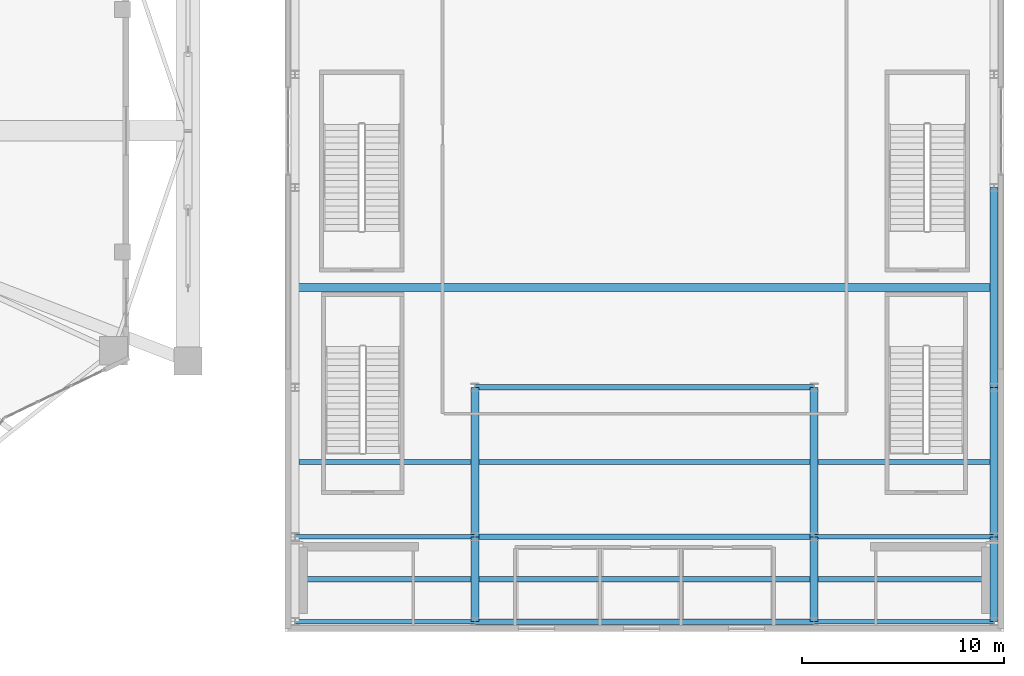
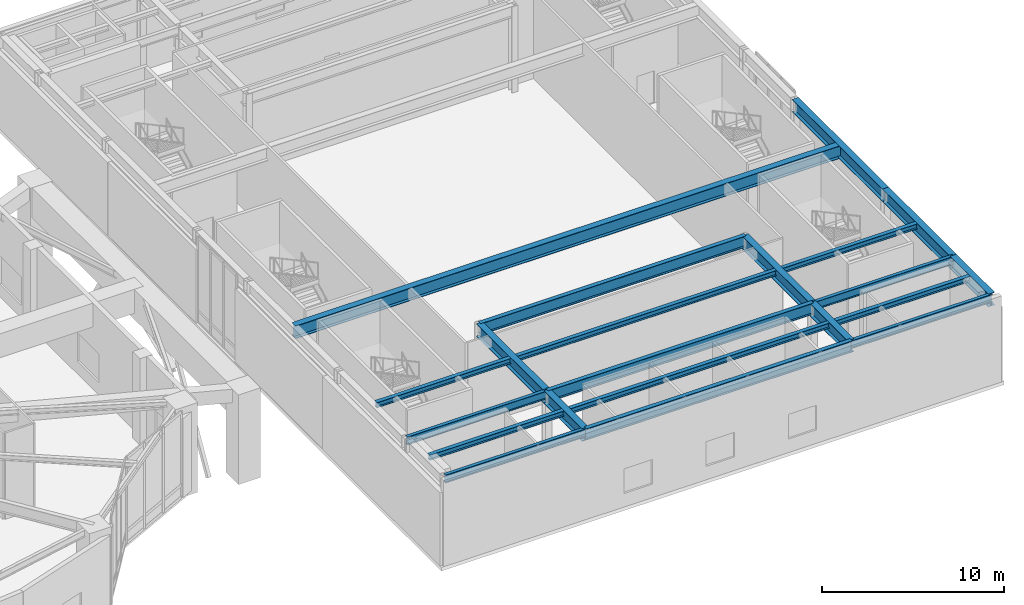
# One storey, part 10 of 25: 21 beams.
"""IFC4 building model written with IfcOpenShell, lengths in metres."""

from ifc_helpers import new_model, si_unit, direction, frame, origin, origin_2d, place, context, subcontext, project, spatial, i_section, extrude, material, material_profile, profile_set, type_object, element, save


model = new_model("IFC4")

# Units and contexts
model_context = context("Model", 3, precision=1e-05, world=origin(), true_north=direction((0.0, 1.0)))
body_context = subcontext(model_context, "Body", "Model", "MODEL_VIEW")
ifc_project = project(units=[si_unit("LENGTHUNIT", "METRE"), si_unit("AREAUNIT", "SQUARE_METRE"), si_unit("VOLUMEUNIT", "CUBIC_METRE"), si_unit("PLANEANGLEUNIT", "RADIAN"), si_unit("MASSUNIT", "GRAM", prefix="KILO")], contexts=[model_context])

# Site, building, storey
site_placement = place(None, origin())
site = spatial("IfcSite", under=ifc_project, at=site_placement, CompositionType="ELEMENT")
building_placement = place(site_placement, origin())
building = spatial("IfcBuilding", under=site, at=building_placement, Name="Kolvaren Gate Tower and Convention Centre", CompositionType="ELEMENT")
storey_placement = place(building_placement, frame((0.0, 0.0, 15.0)))
storey = spatial("IfcBuildingStorey", under=building, at=storey_placement, Name="L03", CompositionType="ELEMENT", Elevation=15.0)

# Beams
ifc_material = material(Name="Structural steel ASTM A992 Grade 345 MPa", Category="steel")
ifc_material_profile_1 = material_profile(ifc_material, i_section(OverallWidth=0.2119140625, OverallDepth=0.5439453125, WebThickness=0.01318359375, FlangeThickness=0.021240234375, at=origin_2d()), Name="W530X123")
ifc_profile_set_1 = profile_set([ifc_material_profile_1], Name="Structural steel ASTM A992 Grade 345 MPa")
beam_type_1 = type_object("IfcBeamType", Name="STR-BM-W530X123", PredefinedType="BEAM", material=ifc_profile_set_1)
for number, where, z_axis, x_axis, name in (
    (1, (62.699951171875, 2.699951171875, 5.488037109375), (1.0, 0.0, 0.0), (0.0, 1.0, 0.0), "Convention L03 Transverse Girder CTG-11"),
    (2, (88.39990234375, 2.699951171875, 5.488037109375), (1.0, 0.0, 0.0), (0.0, 1.0, 0.0), "Convention L03 Transverse Girder CTG-31"),
    (3, (62.699951171875, 6.89990234375, 5.488037109375), (1.0, 0.0, 0.0), (0.0, 1.0, 0.0), "Convention L03 Transverse Girder CTG-12"),
    (4, (88.39990234375, 6.89990234375, 5.488037109375), (1.0, 0.0, 0.0), (0.0, 1.0, 0.0), "Convention L03 Transverse Girder CTG-32"),
):
    element("IfcBeam", number, at=place(storey_placement, frame(where, z_axis=z_axis, x_axis=x_axis)), inside=storey, type_object=beam_type_1, Name=name, PredefinedType="BEAM", context=body_context, shape_type="SweptSolid", body=[
        extrude(i_section(OverallWidth=0.2119140625, OverallDepth=0.5439453125, WebThickness=0.01318359375, FlangeThickness=0.021240234375, at=origin_2d()), origin(), (0.0, 0.0, 1.0), 8.900146484375),
    ])
ifc_material_profile_2 = material_profile(ifc_material, i_section(OverallWidth=0.26806640625, OverallDepth=0.758056640625, WebThickness=0.016357421875, FlangeThickness=0.025390625, at=origin_2d()), Name="W760X220")
ifc_profile_set_2 = profile_set([ifc_material_profile_2], Name="Structural steel ASTM A992 Grade 345 MPa")
beam_type_2 = type_object("IfcBeamType", Name="STR-BM-W760X220", PredefinedType="BEAM", material=ifc_profile_set_2)
for number, where, z_axis, x_axis, name in (
    (5, (71.60009765625, 2.699951171875, 5.381103515625), (1.0, 0.0, 0.0), (0.0, 1.0, 0.0), "Convention L03 Transverse Girder CTG-21"),
    (6, (71.60009765625, 6.89990234375, 5.381103515625), (1.0, 0.0, 0.0), (0.0, 1.0, 0.0), "Convention L03 Transverse Girder CTG-22"),
    (7, (71.60009765625, 14.300048828125, 5.381103515625), (1.0, 0.0, 0.0), (0.0, 1.0, 0.0), "Convention L03 Transverse Girder CTG-23"),
):
    element("IfcBeam", number, at=place(storey_placement, frame(where, z_axis=z_axis, x_axis=x_axis)), inside=storey, type_object=beam_type_2, Name=name, PredefinedType="BEAM", context=body_context, shape_type="SweptSolid", body=[
        extrude(i_section(OverallWidth=0.26806640625, OverallDepth=0.758056640625, WebThickness=0.016357421875, FlangeThickness=0.025390625, at=origin_2d()), origin(), (0.0, 0.0, 1.0), 16.7998046875),
    ])
ifc_material_profile_3 = material_profile(ifc_material, i_section(OverallWidth=0.39990234375, OverallDepth=0.85498046875, WebThickness=0.018310546875, FlangeThickness=0.029296875, at=origin_2d()), Name="W840X299")
ifc_profile_set_3 = profile_set([ifc_material_profile_3], Name="Structural steel ASTM A992 Grade 345 MPa")
beam_type_3 = type_object("IfcBeamType", Name="STR-BM-W840X299", PredefinedType="BEAM", material=ifc_profile_set_3)
beam_1_placement = place(storey_placement, frame((71.60009765625, 2.699951171875, 5.33251953125), z_axis=(0.0, 1.0, 0.0), x_axis=(-1.0, 0.0, 0.0)))
element("IfcBeam", 8, at=beam_1_placement, inside=storey, type_object=beam_type_3, Name="Convention L03 Longitudinal Girder CG-21", PredefinedType="BEAM", context=body_context, shape_type="SweptSolid", body=[
    extrude(i_section(OverallWidth=0.39990234375, OverallDepth=0.85498046875, WebThickness=0.018310546875, FlangeThickness=0.029296875, at=origin_2d()), origin(), (0.0, 0.0, 1.0), 4.199951171875),
])
beam_2_placement = place(storey_placement, frame((71.60009765625, 6.89990234375, 5.33251953125), z_axis=(0.0, 1.0, 0.0), x_axis=(-1.0, 0.0, 0.0)))
element("IfcBeam", 9, at=beam_2_placement, inside=storey, type_object=beam_type_3, Name="Convention L03 Longitudinal Girder CG-22", PredefinedType="BEAM", context=body_context, shape_type="SweptSolid", body=[
    extrude(i_section(OverallWidth=0.39990234375, OverallDepth=0.85498046875, WebThickness=0.018310546875, FlangeThickness=0.029296875, at=origin_2d()), origin(), (0.0, 0.0, 1.0), 7.400146484375),
])
beam_3_placement = place(storey_placement, frame((88.39990234375, 2.699951171875, 5.33251953125), z_axis=(0.0, 1.0, 0.0), x_axis=(-1.0, 0.0, 0.0)))
element("IfcBeam", 10, at=beam_3_placement, inside=storey, type_object=beam_type_3, Name="Convention L03 Longitudinal Girder CG-31", PredefinedType="BEAM", context=body_context, shape_type="SweptSolid", body=[
    extrude(i_section(OverallWidth=0.39990234375, OverallDepth=0.85498046875, WebThickness=0.018310546875, FlangeThickness=0.029296875, at=origin_2d()), origin(), (0.0, 0.0, 1.0), 4.199951171875),
])
beam_4_placement = place(storey_placement, frame((88.39990234375, 6.89990234375, 5.33251953125), z_axis=(0.0, 1.0, 0.0), x_axis=(-1.0, 0.0, 0.0)))
element("IfcBeam", 11, at=beam_4_placement, inside=storey, type_object=beam_type_3, Name="Convention L03 Longitudinal Girder CG-32", PredefinedType="BEAM", context=body_context, shape_type="SweptSolid", body=[
    extrude(i_section(OverallWidth=0.39990234375, OverallDepth=0.85498046875, WebThickness=0.018310546875, FlangeThickness=0.029296875, at=origin_2d()), origin(), (0.0, 0.0, 1.0), 7.400146484375),
])
beam_5_placement = place(storey_placement, frame((97.300048828125, 2.699951171875, 5.33251953125), z_axis=(0.0, 1.0, 0.0), x_axis=(-1.0, 0.0, 0.0)))
element("IfcBeam", 12, at=beam_5_placement, inside=storey, type_object=beam_type_3, Name="Convention L03 Longitudinal Girder CG-41", PredefinedType="BEAM", context=body_context, shape_type="SweptSolid", body=[
    extrude(i_section(OverallWidth=0.39990234375, OverallDepth=0.85498046875, WebThickness=0.018310546875, FlangeThickness=0.029296875, at=origin_2d()), origin(), (0.0, 0.0, 1.0), 4.199951171875),
])
beam_6_placement = place(storey_placement, frame((97.300048828125, 6.89990234375, 5.33251953125), z_axis=(0.0, 1.0, 0.0), x_axis=(-1.0, 0.0, 0.0)))
element("IfcBeam", 13, at=beam_6_placement, inside=storey, type_object=beam_type_3, Name="Convention L03 Longitudinal Girder CG-42", PredefinedType="BEAM", context=body_context, shape_type="SweptSolid", body=[
    extrude(i_section(OverallWidth=0.39990234375, OverallDepth=0.85498046875, WebThickness=0.018310546875, FlangeThickness=0.029296875, at=origin_2d()), origin(), (0.0, 0.0, 1.0), 7.400146484375),
])
beam_7_placement = place(storey_placement, frame((97.300048828125, 14.300048828125, 5.33251953125), z_axis=(0.0, 1.0, 0.0), x_axis=(-1.0, 0.0, 0.0)))
element("IfcBeam", 14, at=beam_7_placement, inside=storey, type_object=beam_type_3, Name="Convention L03 Longitudinal Girder CG-43", PredefinedType="BEAM", context=body_context, shape_type="SweptSolid", body=[
    extrude(i_section(OverallWidth=0.39990234375, OverallDepth=0.85498046875, WebThickness=0.018310546875, FlangeThickness=0.029296875, at=origin_2d()), origin(), (0.0, 0.0, 1.0), 9.89990234375),
])
beam_8_placement = place(storey_placement, frame((62.699951171875, 19.25, 5.33251953125), z_axis=(1.0, 0.0, 0.0), x_axis=(0.0, 1.0, 0.0)))
element("IfcBeam", 15, at=beam_8_placement, inside=storey, type_object=beam_type_3, Name="Convention L03 Clear-Span Secondary Girder CSG-3", PredefinedType="BEAM", context=body_context, shape_type="SweptSolid", body=[
    extrude(i_section(OverallWidth=0.39990234375, OverallDepth=0.85498046875, WebThickness=0.018310546875, FlangeThickness=0.029296875, at=origin_2d()), origin(), (0.0, 0.0, 1.0), 34.60009765625),
])
ifc_material_profile_4 = material_profile(ifc_material, i_section(OverallWidth=0.2548828125, OverallDepth=0.35693359375, WebThickness=0.010498046875, FlangeThickness=0.018310546875, at=origin_2d()), Name="W360X101")
ifc_profile_set_4 = profile_set([ifc_material_profile_4], Name="Structural steel ASTM A992 Grade 345 MPa")
beam_type_4 = type_object("IfcBeamType", Name="STR-JS-W360X101", PredefinedType="JOIST", material=ifc_profile_set_4)
beam_9_placement = place(storey_placement, frame((62.89990234375, 4.800048828125, 5.58154296875), z_axis=(1.0, 0.0, 0.0), x_axis=(0.0, 1.0, 0.0)))
element("IfcBeam", 16, at=beam_9_placement, inside=storey, type_object=beam_type_4, Name="Convention L03 Composite Floor Joist CJ-11", PredefinedType="JOIST", context=body_context, shape_type="SweptSolid", body=[
    extrude(i_section(OverallWidth=0.2548828125, OverallDepth=0.35693359375, WebThickness=0.010498046875, FlangeThickness=0.018310546875, at=origin_2d()), origin(), (0.0, 0.0, 1.0), 8.5),
])
beam_10_placement = place(storey_placement, frame((71.800048828125, 4.800048828125, 5.58154296875), z_axis=(1.0, 0.0, 0.0), x_axis=(0.0, 1.0, 0.0)))
element("IfcBeam", 17, at=beam_10_placement, inside=storey, type_object=beam_type_4, Name="Convention L03 Composite Floor Joist CJ-21", PredefinedType="JOIST", context=body_context, shape_type="SweptSolid", body=[
    extrude(i_section(OverallWidth=0.2548828125, OverallDepth=0.35693359375, WebThickness=0.010498046875, FlangeThickness=0.018310546875, at=origin_2d()), origin(), (0.0, 0.0, 1.0), 16.39990234375),
])
for number, where, z_axis, x_axis, name in (
    (18, (88.60009765625, 4.800048828125, 5.58154296875), (1.0, 0.0, 0.0), (0.0, 1.0, 0.0), "Convention L03 Composite Floor Joist CJ-31"),
    (19, (62.89990234375, 10.60009765625, 5.58154296875), (1.0, 0.0, 0.0), (0.0, 1.0, 0.0), "Convention L03 Composite Floor Joist CJ-12"),
):
    element("IfcBeam", number, at=place(storey_placement, frame(where, z_axis=z_axis, x_axis=x_axis)), inside=storey, type_object=beam_type_4, Name=name, PredefinedType="JOIST", context=body_context, shape_type="SweptSolid", body=[
        extrude(i_section(OverallWidth=0.2548828125, OverallDepth=0.35693359375, WebThickness=0.010498046875, FlangeThickness=0.018310546875, at=origin_2d()), origin(), (0.0, 0.0, 1.0), 8.5),
    ])
beam_11_placement = place(storey_placement, frame((71.800048828125, 10.60009765625, 5.58154296875), z_axis=(1.0, 0.0, 0.0), x_axis=(0.0, 1.0, 0.0)))
element("IfcBeam", 20, at=beam_11_placement, inside=storey, type_object=beam_type_4, Name="Convention L03 Composite Floor Joist CJ-22", PredefinedType="JOIST", context=body_context, shape_type="SweptSolid", body=[
    extrude(i_section(OverallWidth=0.2548828125, OverallDepth=0.35693359375, WebThickness=0.010498046875, FlangeThickness=0.018310546875, at=origin_2d()), origin(), (0.0, 0.0, 1.0), 16.39990234375),
])
beam_12_placement = place(storey_placement, frame((88.60009765625, 10.60009765625, 5.58154296875), z_axis=(1.0, 0.0, 0.0), x_axis=(0.0, 1.0, 0.0)))
element("IfcBeam", 21, at=beam_12_placement, inside=storey, type_object=beam_type_4, Name="Convention L03 Composite Floor Joist CJ-32", PredefinedType="JOIST", context=body_context, shape_type="SweptSolid", body=[
    extrude(i_section(OverallWidth=0.2548828125, OverallDepth=0.35693359375, WebThickness=0.010498046875, FlangeThickness=0.018310546875, at=origin_2d()), origin(), (0.0, 0.0, 1.0), 8.5),
])

save(model, "model.ifc")
